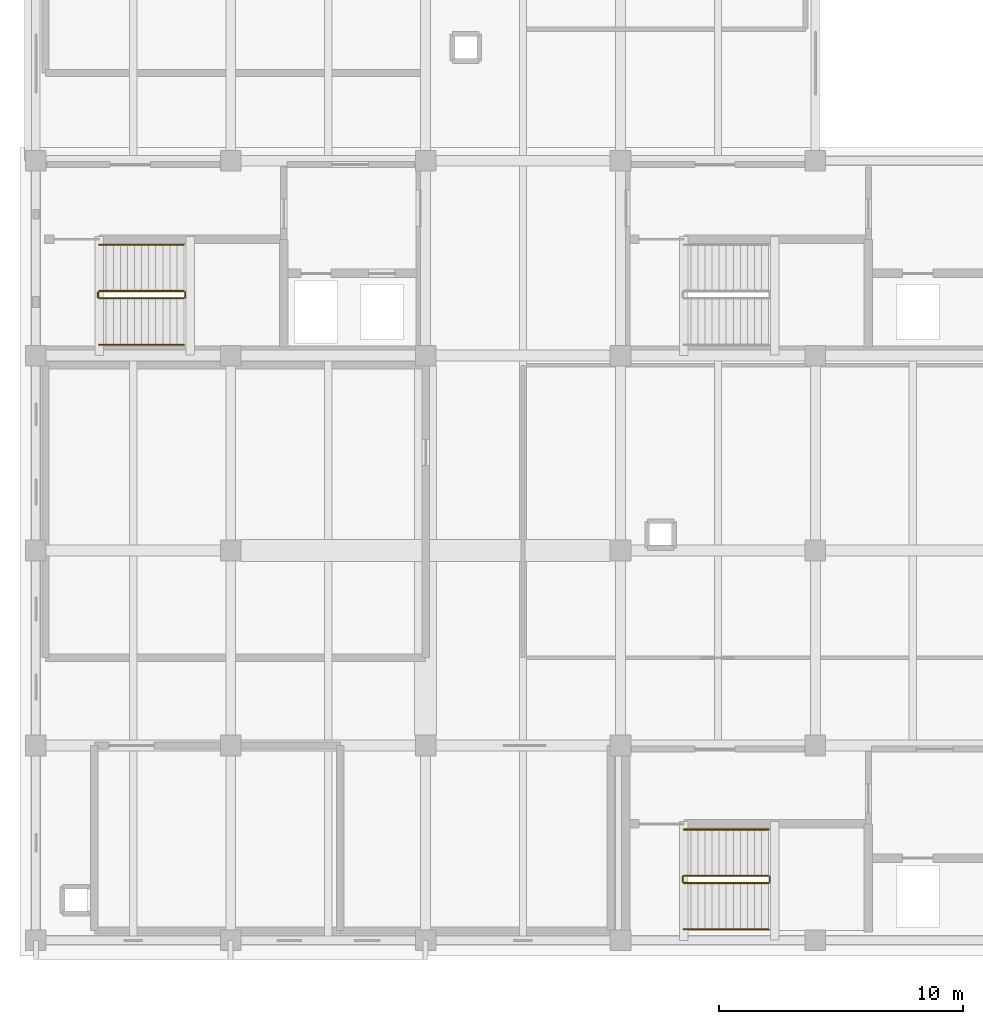
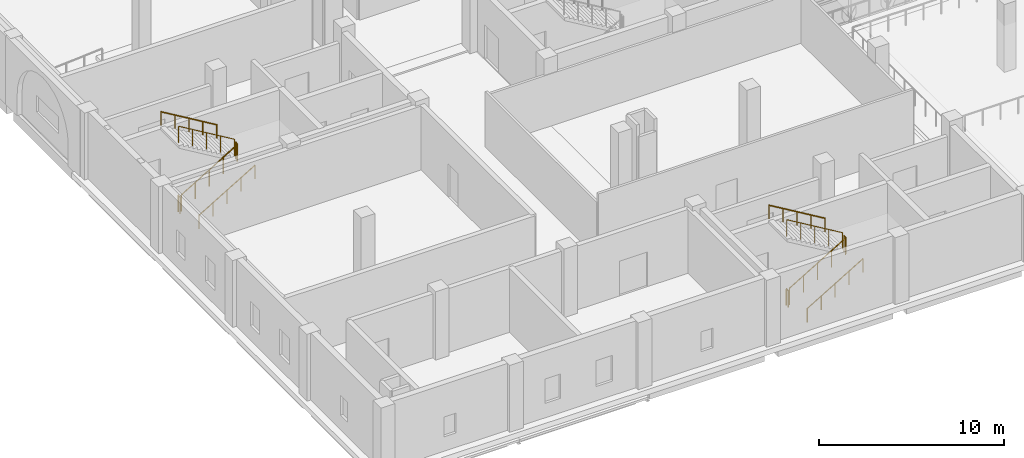
# One storey, part 41 of 53: 12 railings.
"""IFC4 building model written with IfcOpenShell, lengths in metres."""

from ifc_helpers import new_model, si_unit, direction, frame, origin, origin_2d, place, context, subcontext, project, spatial, circle, extrude, material, type_object, element, save


model = new_model("IFC4")

# Units and contexts
model_context = context("Model", 3, precision=1e-05, world=origin(), true_north=direction((0.0, 1.0)))
body_context = subcontext(model_context, "Body", "Model", "MODEL_VIEW")
ifc_project = project(units=[si_unit("LENGTHUNIT", "METRE"), si_unit("AREAUNIT", "SQUARE_METRE"), si_unit("VOLUMEUNIT", "CUBIC_METRE"), si_unit("PLANEANGLEUNIT", "RADIAN"), si_unit("MASSUNIT", "GRAM", prefix="KILO")], contexts=[model_context])

# Site, building, storey
site_placement = place(None, origin())
site = spatial("IfcSite", under=ifc_project, at=site_placement, CompositionType="ELEMENT")
building_placement = place(site_placement, origin())
building = spatial("IfcBuilding", under=site, at=building_placement, Name="Qorikala Patio Media Centre", CompositionType="ELEMENT")
storey_placement = place(building_placement, frame((0.0, 0.0, 5.39990234375)))
storey = spatial("IfcBuildingStorey", under=building, at=storey_placement, Name="L01", CompositionType="ELEMENT", Elevation=5.39990234375)

# Railings
ifc_material_1 = material(Name="Wrought Bronze and Steel S355", Category="steel")
railing_type_1 = type_object("IfcRailingType", Name="RL-GUARD-110", PredefinedType="GUARDRAIL", material=ifc_material_1)
railing_1_placement = place(storey_placement, frame((29.60009765625, 5.35009765625, 0.173095703125)))
element("IfcRailing", 1, at=railing_1_placement, inside=storey, type_object=railing_type_1, Name="L01 ST-1 stair guard 1", PredefinedType="GUARDRAIL", context=body_context, shape_type="SweptSolid", body=[
    extrude(circle(Radius=0.02392578125, at=origin_2d()), frame((0.0, 0.0, 1.076171875), z_axis=(0.858697190188, 0.0, 0.512483302717), x_axis=(0.0, 1.0, 0.0)), (0.0, 0.0, 1.0), 4.052734375),
    extrude(circle(Radius=0.02099609375, at=origin_2d()), origin(), (0.0, 0.0, 1.0), 1.052001953125),
    extrude(circle(Radius=0.02099609375, at=origin_2d()), frame((0.8701171875, 0.0, 0.519287109375)), (0.0, 0.0, 1.0), 1.052001953125),
    extrude(circle(Radius=0.02099609375, at=origin_2d()), frame((1.739990234375, 0.0, 1.03857421875)), (0.0, 0.0, 1.0), 1.052001953125),
    extrude(circle(Radius=0.02099609375, at=origin_2d()), frame((2.60986328125, 0.0, 1.5576171875)), (0.0, 0.0, 1.0), 1.052001953125),
    extrude(circle(Radius=0.02099609375, at=origin_2d()), frame((3.47998046875, 0.0, 2.076904296875)), (0.0, 0.0, 1.0), 1.052001953125),
])
railing_2_placement = place(storey_placement, frame((33.1298828125, 5.39990234375, 2.25)))
element("IfcRailing", 2, at=railing_2_placement, inside=storey, type_object=railing_type_1, Name="L01 ST-1 stair guard 2", PredefinedType="GUARDRAIL", context=body_context, shape_type="SweptSolid", body=[
    extrude(circle(Radius=0.02392578125, at=origin_2d()), frame((0.0, 0.0, 1.076171875), z_axis=(0.0, 1.0, 0.0), x_axis=(-1.0, 0.0, 0.0)), (0.0, 0.0, 1.0), 0.2001953125),
    extrude(circle(Radius=0.02099609375, at=origin_2d()), origin(), (0.0, 0.0, 1.0), 1.052001953125),
    extrude(circle(Radius=0.02099609375, at=origin_2d()), frame((0.0, 0.2001953125, 0.0)), (0.0, 0.0, 1.0), 1.052001953125),
])
railing_3_placement = place(storey_placement, frame((33.080078125, 5.64990234375, 2.423095703125)))
element("IfcRailing", 3, at=railing_3_placement, inside=storey, type_object=railing_type_1, Name="L01 ST-1 stair guard 3", PredefinedType="GUARDRAIL", context=body_context, shape_type="SweptSolid", body=[
    extrude(circle(Radius=0.02392578125, at=origin_2d()), frame((0.0, 0.0, 1.076171875), z_axis=(-0.858697190188, 0.0, 0.512483302717), x_axis=(0.0, -1.0, 0.0)), (0.0, 0.0, 1.0), 4.052734375),
    extrude(circle(Radius=0.02099609375, at=origin_2d()), origin(), (0.0, 0.0, 1.0), 1.052001953125),
    extrude(circle(Radius=0.02099609375, at=origin_2d()), frame((-0.8701171875, 0.0, 0.519287109375)), (0.0, 0.0, 1.0), 1.052001953125),
    extrude(circle(Radius=0.02099609375, at=origin_2d()), frame((-1.739990234375, 0.0, 1.03857421875)), (0.0, 0.0, 1.0), 1.052001953125),
    extrude(circle(Radius=0.02099609375, at=origin_2d()), frame((-2.60986328125, 0.0, 1.5576171875)), (0.0, 0.0, 1.0), 1.052001953125),
    extrude(circle(Radius=0.02099609375, at=origin_2d()), frame((-3.47998046875, 0.0, 2.076904296875)), (0.0, 0.0, 1.0), 1.052001953125),
])
railing_4_placement = place(storey_placement, frame((29.550048828125, 5.39990234375, 0.0)))
element("IfcRailing", 4, at=railing_4_placement, inside=storey, type_object=railing_type_1, Name="L01 ST-1 stair guard 4", PredefinedType="GUARDRAIL", context=body_context, shape_type="SweptSolid", body=[
    extrude(circle(Radius=0.02392578125, at=origin_2d()), frame((0.0, 0.0, 1.076171875), z_axis=(0.0, 1.0, 0.0), x_axis=(-1.0, 0.0, 0.0)), (0.0, 0.0, 1.0), 0.2001953125),
    extrude(circle(Radius=0.02099609375, at=origin_2d()), origin(), (0.0, 0.0, 1.0), 1.052001953125),
    extrude(circle(Radius=0.02099609375, at=origin_2d()), frame((0.0, 0.2001953125, 0.0)), (0.0, 0.0, 1.0), 1.052001953125),
])
railing_5_placement = place(storey_placement, frame((5.60009765625, 29.35009765625, 0.173095703125)))
element("IfcRailing", 5, at=railing_5_placement, inside=storey, type_object=railing_type_1, Name="L01 ST-2 stair guard 1", PredefinedType="GUARDRAIL", context=body_context, shape_type="SweptSolid", body=[
    extrude(circle(Radius=0.02392578125, at=origin_2d()), frame((0.0, 0.0, 1.076171875), z_axis=(0.858697190188, 0.0, 0.512483302717), x_axis=(0.0, 1.0, 0.0)), (0.0, 0.0, 1.0), 4.052734375),
    extrude(circle(Radius=0.02099609375, at=origin_2d()), origin(), (0.0, 0.0, 1.0), 1.052001953125),
    extrude(circle(Radius=0.02099609375, at=origin_2d()), frame((0.8701171875, 0.0, 0.519287109375)), (0.0, 0.0, 1.0), 1.052001953125),
    extrude(circle(Radius=0.02099609375, at=origin_2d()), frame((1.739990234375, 0.0, 1.03857421875)), (0.0, 0.0, 1.0), 1.052001953125),
    extrude(circle(Radius=0.02099609375, at=origin_2d()), frame((2.60986328125, 0.0, 1.5576171875)), (0.0, 0.0, 1.0), 1.052001953125),
    extrude(circle(Radius=0.02099609375, at=origin_2d()), frame((3.47998046875, 0.0, 2.076904296875)), (0.0, 0.0, 1.0), 1.052001953125),
])
railing_6_placement = place(storey_placement, frame((9.1298828125, 29.39990234375, 2.25)))
element("IfcRailing", 6, at=railing_6_placement, inside=storey, type_object=railing_type_1, Name="L01 ST-2 stair guard 2", PredefinedType="GUARDRAIL", context=body_context, shape_type="SweptSolid", body=[
    extrude(circle(Radius=0.02392578125, at=origin_2d()), frame((0.0, 0.0, 1.076171875), z_axis=(0.0, 1.0, 0.0), x_axis=(-1.0, 0.0, 0.0)), (0.0, 0.0, 1.0), 0.2001953125),
    extrude(circle(Radius=0.02099609375, at=origin_2d()), origin(), (0.0, 0.0, 1.0), 1.052001953125),
    extrude(circle(Radius=0.02099609375, at=origin_2d()), frame((0.0, 0.2001953125, 0.0)), (0.0, 0.0, 1.0), 1.052001953125),
])
railing_7_placement = place(storey_placement, frame((9.080078125, 29.64990234375, 2.423095703125)))
element("IfcRailing", 7, at=railing_7_placement, inside=storey, type_object=railing_type_1, Name="L01 ST-2 stair guard 3", PredefinedType="GUARDRAIL", context=body_context, shape_type="SweptSolid", body=[
    extrude(circle(Radius=0.02392578125, at=origin_2d()), frame((0.0, 0.0, 1.076171875), z_axis=(-0.858697190188, 0.0, 0.512483302717), x_axis=(0.0, -1.0, 0.0)), (0.0, 0.0, 1.0), 4.052734375),
    extrude(circle(Radius=0.02099609375, at=origin_2d()), origin(), (0.0, 0.0, 1.0), 1.052001953125),
    extrude(circle(Radius=0.02099609375, at=origin_2d()), frame((-0.8701171875, 0.0, 0.519287109375)), (0.0, 0.0, 1.0), 1.052001953125),
    extrude(circle(Radius=0.02099609375, at=origin_2d()), frame((-1.739990234375, 0.0, 1.03857421875)), (0.0, 0.0, 1.0), 1.052001953125),
    extrude(circle(Radius=0.02099609375, at=origin_2d()), frame((-2.60986328125, 0.0, 1.5576171875)), (0.0, 0.0, 1.0), 1.052001953125),
    extrude(circle(Radius=0.02099609375, at=origin_2d()), frame((-3.47998046875, 0.0, 2.076904296875)), (0.0, 0.0, 1.0), 1.052001953125),
])
railing_8_placement = place(storey_placement, frame((5.550048828125, 29.39990234375, 0.0)))
element("IfcRailing", 8, at=railing_8_placement, inside=storey, type_object=railing_type_1, Name="L01 ST-2 stair guard 4", PredefinedType="GUARDRAIL", context=body_context, shape_type="SweptSolid", body=[
    extrude(circle(Radius=0.02392578125, at=origin_2d()), frame((0.0, 0.0, 1.076171875), z_axis=(0.0, 1.0, 0.0), x_axis=(-1.0, 0.0, 0.0)), (0.0, 0.0, 1.0), 0.2001953125),
    extrude(circle(Radius=0.02099609375, at=origin_2d()), origin(), (0.0, 0.0, 1.0), 1.052001953125),
    extrude(circle(Radius=0.02099609375, at=origin_2d()), frame((0.0, 0.2001953125, 0.0)), (0.0, 0.0, 1.0), 1.052001953125),
])
ifc_material_2 = material(Name="Brushed Bronze Tubular Steel S355", Category="steel")
railing_type_2 = type_object("IfcRailingType", Name="RL-HAND-090", PredefinedType="HANDRAIL", material=ifc_material_2)
railing_9_placement = place(storey_placement, frame((29.60009765625, 3.449951171875, 0.173095703125)))
element("IfcRailing", 9, at=railing_9_placement, inside=storey, type_object=railing_type_2, Name="L01 ST-1 stair handrail 1", PredefinedType="HANDRAIL", context=body_context, shape_type="SweptSolid", body=[
    extrude(circle(Radius=0.02392578125, at=origin_2d()), frame((0.0, 0.0, 0.8759765625), z_axis=(0.858697190188, 0.0, 0.512483302717), x_axis=(0.0, 1.0, 0.0)), (0.0, 0.0, 1.0), 4.052734375),
    extrude(circle(Radius=0.02099609375, at=origin_2d()), origin(), (0.0, 0.0, 1.0), 0.851806640625),
    extrude(circle(Radius=0.02099609375, at=origin_2d()), frame((0.8701171875, 0.0, 0.519287109375)), (0.0, 0.0, 1.0), 0.851806640625),
    extrude(circle(Radius=0.02099609375, at=origin_2d()), frame((1.739990234375, 0.0, 1.03857421875)), (0.0, 0.0, 1.0), 0.851806640625),
    extrude(circle(Radius=0.02099609375, at=origin_2d()), frame((2.60986328125, 0.0, 1.5576171875)), (0.0, 0.0, 1.0), 0.851806640625),
    extrude(circle(Radius=0.02099609375, at=origin_2d()), frame((3.47998046875, 0.0, 2.076904296875)), (0.0, 0.0, 1.0), 0.851806640625),
])
railing_10_placement = place(storey_placement, frame((33.080078125, 7.550048828125, 2.423095703125)))
element("IfcRailing", 10, at=railing_10_placement, inside=storey, type_object=railing_type_2, Name="L01 ST-1 stair handrail 2", PredefinedType="HANDRAIL", context=body_context, shape_type="SweptSolid", body=[
    extrude(circle(Radius=0.02392578125, at=origin_2d()), frame((0.0, 0.0, 0.8759765625), z_axis=(-0.858697190188, 0.0, 0.512483302717), x_axis=(0.0, -1.0, 0.0)), (0.0, 0.0, 1.0), 4.052734375),
    extrude(circle(Radius=0.02099609375, at=origin_2d()), origin(), (0.0, 0.0, 1.0), 0.851806640625),
    extrude(circle(Radius=0.02099609375, at=origin_2d()), frame((-0.8701171875, 0.0, 0.519287109375)), (0.0, 0.0, 1.0), 0.851806640625),
    extrude(circle(Radius=0.02099609375, at=origin_2d()), frame((-1.739990234375, 0.0, 1.03857421875)), (0.0, 0.0, 1.0), 0.851806640625),
    extrude(circle(Radius=0.02099609375, at=origin_2d()), frame((-2.60986328125, 0.0, 1.5576171875)), (0.0, 0.0, 1.0), 0.851806640625),
    extrude(circle(Radius=0.02099609375, at=origin_2d()), frame((-3.47998046875, 0.0, 2.076904296875)), (0.0, 0.0, 1.0), 0.851806640625),
])
railing_11_placement = place(storey_placement, frame((5.60009765625, 27.449951171875, 0.173095703125)))
element("IfcRailing", 11, at=railing_11_placement, inside=storey, type_object=railing_type_2, Name="L01 ST-2 stair handrail 1", PredefinedType="HANDRAIL", context=body_context, shape_type="SweptSolid", body=[
    extrude(circle(Radius=0.02392578125, at=origin_2d()), frame((0.0, 0.0, 0.8759765625), z_axis=(0.858697190188, 0.0, 0.512483302717), x_axis=(0.0, 1.0, 0.0)), (0.0, 0.0, 1.0), 4.052734375),
    extrude(circle(Radius=0.02099609375, at=origin_2d()), origin(), (0.0, 0.0, 1.0), 0.851806640625),
    extrude(circle(Radius=0.02099609375, at=origin_2d()), frame((0.8701171875, 0.0, 0.519287109375)), (0.0, 0.0, 1.0), 0.851806640625),
    extrude(circle(Radius=0.02099609375, at=origin_2d()), frame((1.739990234375, 0.0, 1.03857421875)), (0.0, 0.0, 1.0), 0.851806640625),
    extrude(circle(Radius=0.02099609375, at=origin_2d()), frame((2.60986328125, 0.0, 1.5576171875)), (0.0, 0.0, 1.0), 0.851806640625),
    extrude(circle(Radius=0.02099609375, at=origin_2d()), frame((3.47998046875, 0.0, 2.076904296875)), (0.0, 0.0, 1.0), 0.851806640625),
])
railing_12_placement = place(storey_placement, frame((9.080078125, 31.550048828125, 2.423095703125)))
element("IfcRailing", 12, at=railing_12_placement, inside=storey, type_object=railing_type_2, Name="L01 ST-2 stair handrail 2", PredefinedType="HANDRAIL", context=body_context, shape_type="SweptSolid", body=[
    extrude(circle(Radius=0.02392578125, at=origin_2d()), frame((0.0, 0.0, 0.8759765625), z_axis=(-0.858697190188, 0.0, 0.512483302717), x_axis=(0.0, -1.0, 0.0)), (0.0, 0.0, 1.0), 4.052734375),
    extrude(circle(Radius=0.02099609375, at=origin_2d()), origin(), (0.0, 0.0, 1.0), 0.851806640625),
    extrude(circle(Radius=0.02099609375, at=origin_2d()), frame((-0.8701171875, 0.0, 0.519287109375)), (0.0, 0.0, 1.0), 0.851806640625),
    extrude(circle(Radius=0.02099609375, at=origin_2d()), frame((-1.739990234375, 0.0, 1.03857421875)), (0.0, 0.0, 1.0), 0.851806640625),
    extrude(circle(Radius=0.02099609375, at=origin_2d()), frame((-2.60986328125, 0.0, 1.5576171875)), (0.0, 0.0, 1.0), 0.851806640625),
    extrude(circle(Radius=0.02099609375, at=origin_2d()), frame((-3.47998046875, 0.0, 2.076904296875)), (0.0, 0.0, 1.0), 0.851806640625),
])

save(model, "model.ifc")
